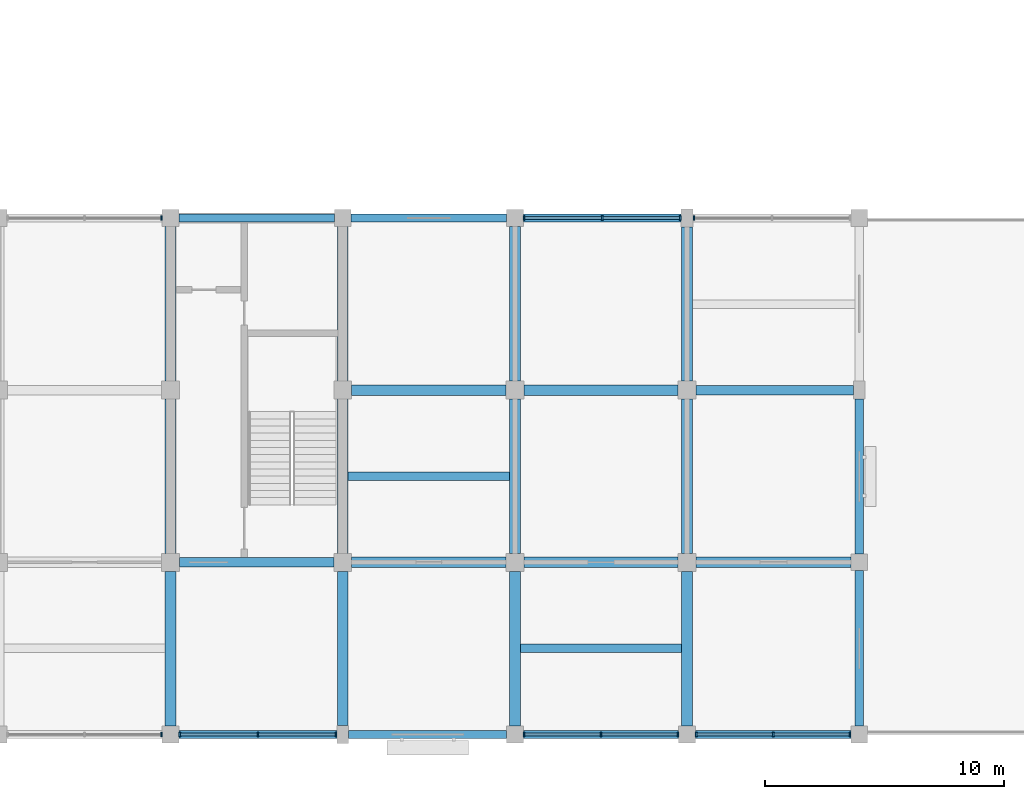
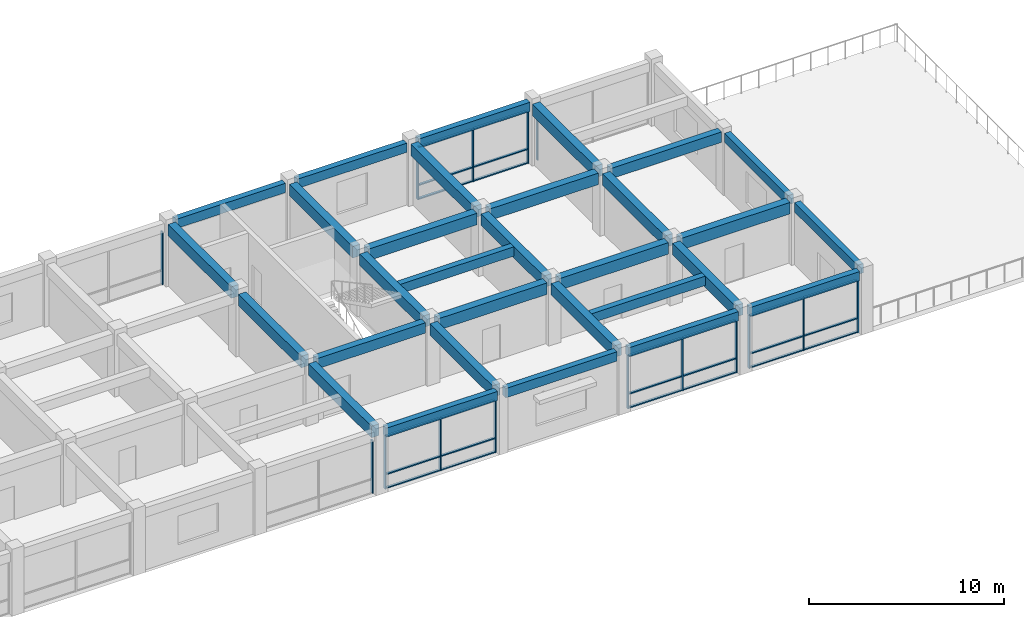
# One storey, part 14 of 31: 39 members, 30 beams, 7 elements without a shape of their own.
"""IFC4 building model written with IfcOpenShell, lengths in metres."""

from ifc_helpers import new_model, si_unit, direction, frame, origin, origin_2d, place, context, subcontext, project, spatial, rectangle, extrude, material, layer, layer_set, material_profile, profile_set, type_object, element, aggregate, save


model = new_model("IFC4")

# Units and contexts
model_context = context("Model", 3, precision=1e-05, world=origin(), true_north=direction((0.0, 1.0)))
body_context = subcontext(model_context, "Body", "Model", "MODEL_VIEW")
ifc_project = project(units=[si_unit("LENGTHUNIT", "METRE"), si_unit("AREAUNIT", "SQUARE_METRE"), si_unit("VOLUMEUNIT", "CUBIC_METRE"), si_unit("PLANEANGLEUNIT", "RADIAN"), si_unit("MASSUNIT", "GRAM", prefix="KILO")], contexts=[model_context])

# Site, building, storey
site_placement = place(None, origin())
site = spatial("IfcSite", under=ifc_project, at=site_placement, CompositionType="ELEMENT")
building_placement = place(site_placement, origin())
building = spatial("IfcBuilding", under=site, at=building_placement, Name="Cendaluz Park School", CompositionType="ELEMENT")
storey_placement = place(building_placement, frame((0.0, 0.0, 14.39990234375)))
storey = spatial("IfcBuildingStorey", under=building, at=storey_placement, Name="L03", CompositionType="ELEMENT", Elevation=14.39990234375)

# Beams
ifc_material_1 = material(Name="Concrete C40/50", Category="concrete")
ifc_material_profile_1 = material_profile(ifc_material_1, rectangle(XDim=0.449951171875, YDim=0.719970703125, at=origin_2d()), Name="RC 450x720", Category="concrete")
ifc_profile_set_1 = profile_set([ifc_material_profile_1], Name="Concrete C40/50")
beam_type_1 = type_object("IfcBeamType", Name="BM-RC02", PredefinedType="BEAM", material=ifc_profile_set_1)
for number, where, z_axis, x_axis, name in (
    (1, (137.175048828125, 14.39990234375, 3.530029296875), (1.0, 0.0, 0.0), (0.0, 1.0, 0.0), "BM-L03-BMRC02-0100"),
    (2, (137.175048828125, 21.60009765625, 3.530029296875), (1.0, 0.0, 0.0), (0.0, 1.0, 0.0), "BM-L03-BMRC02-0101"),
    (3, (144.375, 14.39990234375, 3.530029296875), (1.0, 0.0, 0.0), (0.0, 1.0, 0.0), "BM-L03-BMRC02-0104"),
    (4, (144.375, 21.60009765625, 3.530029296875), (1.0, 0.0, 0.0), (0.0, 1.0, 0.0), "BM-L03-BMRC02-0105"),
):
    element("IfcBeam", number, at=place(storey_placement, frame(where, z_axis=z_axis, x_axis=x_axis)), inside=storey, type_object=beam_type_1, Name=name, PredefinedType="BEAM", context=body_context, shape_type="SweptSolid", body=[
        extrude(rectangle(XDim=0.449951171875, YDim=0.719970703125, at=origin_2d()), origin(), (0.0, 0.0, 1.0), 6.449951171875),
    ])
beam_1_placement = place(storey_placement, frame((151.574951171875, 14.39990234375, 3.530029296875), z_axis=(1.0, 0.0, 0.0), x_axis=(0.0, 1.0, 0.0)))
element("IfcBeam", 5, at=beam_1_placement, inside=storey, type_object=beam_type_1, Name="BM-L03-BMRC02-0108", PredefinedType="BEAM", context=body_context, shape_type="SweptSolid", body=[
    extrude(rectangle(XDim=0.449951171875, YDim=0.719970703125, at=origin_2d()), origin(), (0.0, 0.0, 1.0), 6.47509765625),
])
beam_2_placement = place(storey_placement, frame((129.60009765625, 7.550048828125, 3.530029296875), z_axis=(0.0, 1.0, 0.0), x_axis=(-1.0, 0.0, 0.0)))
element("IfcBeam", 6, at=beam_2_placement, inside=storey, type_object=beam_type_1, Name="BM-L03-BMRC02-0201", PredefinedType="BEAM", context=body_context, shape_type="SweptSolid", body=[
    extrude(rectangle(XDim=0.449951171875, YDim=0.719970703125, at=origin_2d()), origin(), (0.0, 0.0, 1.0), 6.474853515625),
])
beam_3_placement = place(storey_placement, frame((129.60009765625, 14.77490234375, 3.530029296875), z_axis=(0.0, 1.0, 0.0), x_axis=(-1.0, 0.0, 0.0)))
element("IfcBeam", 7, at=beam_3_placement, inside=storey, type_object=beam_type_1, Name="BM-L03-BMRC02-0202", PredefinedType="BEAM", context=body_context, shape_type="SweptSolid", body=[
    extrude(rectangle(XDim=0.449951171875, YDim=0.719970703125, at=origin_2d()), origin(), (0.0, 0.0, 1.0), 6.4501953125),
])
beam_4_placement = place(storey_placement, frame((129.60009765625, 21.97509765625, 3.530029296875), z_axis=(0.0, 1.0, 0.0), x_axis=(-1.0, 0.0, 0.0)))
element("IfcBeam", 8, at=beam_4_placement, inside=storey, type_object=beam_type_1, Name="BM-L03-BMRC02-0203", PredefinedType="BEAM", context=body_context, shape_type="SweptSolid", body=[
    extrude(rectangle(XDim=0.449951171875, YDim=0.719970703125, at=origin_2d()), origin(), (0.0, 0.0, 1.0), 6.474853515625),
])
beam_5_placement = place(storey_placement, frame((136.800048828125, 7.574951171875, 3.530029296875), z_axis=(0.0, 1.0, 0.0), x_axis=(-1.0, 0.0, 0.0)))
element("IfcBeam", 9, at=beam_5_placement, inside=storey, type_object=beam_type_1, Name="BM-L03-BMRC02-0204", PredefinedType="BEAM", context=body_context, shape_type="SweptSolid", body=[
    extrude(rectangle(XDim=0.449951171875, YDim=0.719970703125, at=origin_2d()), origin(), (0.0, 0.0, 1.0), 6.449951171875),
])
beam_6_placement = place(storey_placement, frame((136.800048828125, 14.77490234375, 3.530029296875), z_axis=(0.0, 1.0, 0.0), x_axis=(-1.0, 0.0, 0.0)))
element("IfcBeam", 10, at=beam_6_placement, inside=storey, type_object=beam_type_1, Name="BM-L03-BMRC02-0205", PredefinedType="BEAM", context=body_context, shape_type="SweptSolid", body=[
    extrude(rectangle(XDim=0.449951171875, YDim=0.719970703125, at=origin_2d()), origin(), (0.0, 0.0, 1.0), 6.4501953125),
])
for number, where, z_axis, x_axis, name in (
    (11, (136.800048828125, 21.97509765625, 3.530029296875), (0.0, 1.0, 0.0), (-1.0, 0.0, 0.0), "BM-L03-BMRC02-0206"),
    (12, (144.0, 7.550048828125, 3.530029296875), (0.0, 1.0, 0.0), (-1.0, 0.0, 0.0), "BM-L03-BMRC02-0207"),
):
    element("IfcBeam", number, at=place(storey_placement, frame(where, z_axis=z_axis, x_axis=x_axis)), inside=storey, type_object=beam_type_1, Name=name, PredefinedType="BEAM", context=body_context, shape_type="SweptSolid", body=[
        extrude(rectangle(XDim=0.449951171875, YDim=0.719970703125, at=origin_2d()), origin(), (0.0, 0.0, 1.0), 6.474853515625),
    ])
beam_7_placement = place(storey_placement, frame((144.0, 14.77490234375, 3.530029296875), z_axis=(0.0, 1.0, 0.0), x_axis=(-1.0, 0.0, 0.0)))
element("IfcBeam", 13, at=beam_7_placement, inside=storey, type_object=beam_type_1, Name="BM-L03-BMRC02-0208", PredefinedType="BEAM", context=body_context, shape_type="SweptSolid", body=[
    extrude(rectangle(XDim=0.449951171875, YDim=0.719970703125, at=origin_2d()), origin(), (0.0, 0.0, 1.0), 6.4501953125),
])
for number, where, z_axis, x_axis, name in (
    (14, (144.0, 21.97509765625, 3.530029296875), (0.0, 1.0, 0.0), (-1.0, 0.0, 0.0), "BM-L03-BMRC02-0209"),
    (15, (151.199951171875, 7.550048828125, 3.530029296875), (0.0, 1.0, 0.0), (-1.0, 0.0, 0.0), "BM-L03-BMRC02-0210"),
):
    element("IfcBeam", number, at=place(storey_placement, frame(where, z_axis=z_axis, x_axis=x_axis)), inside=storey, type_object=beam_type_1, Name=name, PredefinedType="BEAM", context=body_context, shape_type="SweptSolid", body=[
        extrude(rectangle(XDim=0.449951171875, YDim=0.719970703125, at=origin_2d()), origin(), (0.0, 0.0, 1.0), 6.474853515625),
    ])
beam_8_placement = place(storey_placement, frame((151.199951171875, 14.77490234375, 3.530029296875), z_axis=(0.0, 1.0, 0.0), x_axis=(-1.0, 0.0, 0.0)))
element("IfcBeam", 16, at=beam_8_placement, inside=storey, type_object=beam_type_1, Name="BM-L03-BMRC02-0211", PredefinedType="BEAM", context=body_context, shape_type="SweptSolid", body=[
    extrude(rectangle(XDim=0.449951171875, YDim=0.719970703125, at=origin_2d()), origin(), (0.0, 0.0, 1.0), 6.4501953125),
])
beam_9_placement = place(storey_placement, frame((151.199951171875, 21.97509765625, 3.530029296875), z_axis=(0.0, 1.0, 0.0), x_axis=(-1.0, 0.0, 0.0)))
element("IfcBeam", 17, at=beam_9_placement, inside=storey, type_object=beam_type_1, Name="BM-L03-BMRC02-0212", PredefinedType="BEAM", context=body_context, shape_type="SweptSolid", body=[
    extrude(rectangle(XDim=0.449951171875, YDim=0.719970703125, at=origin_2d()), origin(), (0.0, 0.0, 1.0), 6.449951171875),
])
ifc_material_profile_2 = material_profile(ifc_material_1, rectangle(XDim=0.39990234375, YDim=0.64990234375, at=origin_2d()), Name="RC 400x650", Category="concrete")
ifc_profile_set_2 = profile_set([ifc_material_profile_2], Name="Concrete C40/50")
beam_type_2 = type_object("IfcBeamType", Name="BM-RC03", PredefinedType="T_BEAM", material=ifc_profile_set_2)
beam_10_placement = place(storey_placement, frame((129.97509765625, 14.39990234375, 3.565185546875), z_axis=(1.0, 0.0, 0.0), x_axis=(0.0, 1.0, 0.0)))
element("IfcBeam", 18, at=beam_10_placement, inside=storey, type_object=beam_type_2, Name="BM-L03-BMRC03-0097", PredefinedType="T_BEAM", context=body_context, shape_type="SweptSolid", body=[
    extrude(rectangle(XDim=0.39990234375, YDim=0.64990234375, at=origin_2d()), origin(), (0.0, 0.0, 1.0), 6.449951171875),
])
beam_11_placement = place(storey_placement, frame((151.574951171875, 21.60009765625, 3.565185546875), z_axis=(1.0, 0.0, 0.0), x_axis=(0.0, 1.0, 0.0)))
element("IfcBeam", 19, at=beam_11_placement, inside=storey, type_object=beam_type_2, Name="BM-L03-BMRC03-0109", PredefinedType="T_BEAM", context=body_context, shape_type="SweptSolid", body=[
    extrude(rectangle(XDim=0.39990234375, YDim=0.64990234375, at=origin_2d()), origin(), (0.0, 0.0, 1.0), 6.574951171875),
])
ifc_material_profile_3 = material_profile(ifc_material_1, rectangle(XDim=0.35009765625, YDim=0.580078125, at=origin_2d()), Name="RC 350x580", Category="concrete")
ifc_profile_set_3 = profile_set([ifc_material_profile_3], Name="Concrete C40/50")
beam_type_3 = type_object("IfcBeamType", Name="BM-RC04", PredefinedType="LINTEL", material=ifc_profile_set_3)
beam_12_placement = place(storey_placement, frame((129.949951171875, 7.199951171875, 3.60009765625), z_axis=(1.0, 0.0, 0.0), x_axis=(0.0, 1.0, 0.0)))
element("IfcBeam", 20, at=beam_12_placement, inside=storey, type_object=beam_type_3, Name="BM-L03-BMRC04-0096", PredefinedType="LINTEL", context=body_context, shape_type="SweptSolid", body=[
    extrude(rectangle(XDim=0.35009765625, YDim=0.580078125, at=origin_2d()), origin(), (0.0, 0.0, 1.0), 6.60009765625),
])
beam_13_placement = place(storey_placement, frame((129.949951171875, 28.800048828125, 3.60009765625), z_axis=(1.0, 0.0, 0.0), x_axis=(0.0, 1.0, 0.0)))
element("IfcBeam", 21, at=beam_13_placement, inside=storey, type_object=beam_type_3, Name="BM-L03-BMRC04-0098", PredefinedType="LINTEL", context=body_context, shape_type="SweptSolid", body=[
    extrude(rectangle(XDim=0.35009765625, YDim=0.580078125, at=origin_2d()), origin(), (0.0, 0.0, 1.0), 6.5),
])
beam_14_placement = place(storey_placement, frame((137.050048828125, 7.199951171875, 3.60009765625), z_axis=(1.0, 0.0, 0.0), x_axis=(0.0, 1.0, 0.0)))
element("IfcBeam", 22, at=beam_14_placement, inside=storey, type_object=beam_type_3, Name="BM-L03-BMRC04-0099", PredefinedType="LINTEL", context=body_context, shape_type="SweptSolid", body=[
    extrude(rectangle(XDim=0.35009765625, YDim=0.580078125, at=origin_2d()), origin(), (0.0, 0.0, 1.0), 6.599853515625),
])
for number, where, z_axis, x_axis, name in (
    (23, (137.14990234375, 28.800048828125, 3.60009765625), (1.0, 0.0, 0.0), (0.0, 1.0, 0.0), "BM-L03-BMRC04-0102"),
    (24, (144.35009765625, 7.199951171875, 3.60009765625), (1.0, 0.0, 0.0), (0.0, 1.0, 0.0), "BM-L03-BMRC04-0103"),
):
    element("IfcBeam", number, at=place(storey_placement, frame(where, z_axis=z_axis, x_axis=x_axis)), inside=storey, type_object=beam_type_3, Name=name, PredefinedType="LINTEL", context=body_context, shape_type="SweptSolid", body=[
        extrude(rectangle(XDim=0.35009765625, YDim=0.580078125, at=origin_2d()), origin(), (0.0, 0.0, 1.0), 6.5),
    ])
beam_15_placement = place(storey_placement, frame((144.35009765625, 28.800048828125, 3.60009765625), z_axis=(1.0, 0.0, 0.0), x_axis=(0.0, 1.0, 0.0)))
element("IfcBeam", 25, at=beam_15_placement, inside=storey, type_object=beam_type_3, Name="BM-L03-BMRC04-0106", PredefinedType="LINTEL", context=body_context, shape_type="SweptSolid", body=[
    extrude(rectangle(XDim=0.35009765625, YDim=0.580078125, at=origin_2d()), origin(), (0.0, 0.0, 1.0), 6.599853515625),
])
for number, where, z_axis, x_axis, name in (
    (26, (151.550048828125, 7.199951171875, 3.60009765625), (1.0, 0.0, 0.0), (0.0, 1.0, 0.0), "BM-L03-BMRC04-0107"),
    (27, (158.39990234375, 7.550048828125, 3.60009765625), (0.0, 1.0, 0.0), (-1.0, 0.0, 0.0), "BM-L03-BMRC04-0213"),
):
    element("IfcBeam", number, at=place(storey_placement, frame(where, z_axis=z_axis, x_axis=x_axis)), inside=storey, type_object=beam_type_3, Name=name, PredefinedType="LINTEL", context=body_context, shape_type="SweptSolid", body=[
        extrude(rectangle(XDim=0.35009765625, YDim=0.580078125, at=origin_2d()), origin(), (0.0, 0.0, 1.0), 6.5),
    ])
beam_16_placement = place(storey_placement, frame((158.39990234375, 14.75, 3.60009765625), z_axis=(0.0, 1.0, 0.0), x_axis=(-1.0, 0.0, 0.0)))
element("IfcBeam", 28, at=beam_16_placement, inside=storey, type_object=beam_type_3, Name="BM-L03-BMRC04-0214", PredefinedType="LINTEL", context=body_context, shape_type="SweptSolid", body=[
    extrude(rectangle(XDim=0.35009765625, YDim=0.580078125, at=origin_2d()), origin(), (0.0, 0.0, 1.0), 6.47509765625),
])

# Curtain wall, member
ifc_material_2 = material(Name="Anodised Aluminium 6063-T6", Category="aluminium")
ifc_layer_1 = layer(ifc_material_2, 0.179931640625)
ifc_layer_set_1 = layer_set([ifc_layer_1], Name="Anodised Aluminium 6063-T6")
curtain_wall_type_1 = type_object("IfcCurtainWallType", Name="CW-130x66", PredefinedType="NOTDEFINED", material=ifc_layer_set_1)
curtain_wall_1_placement = place(storey_placement, origin())
curtain_wall_1 = element("IfcCurtainWall", 29, at=curtain_wall_1_placement, inside=storey, type_object=curtain_wall_type_1, Name="CW-L03-154", PredefinedType="NOTDEFINED")
ifc_material_profile_4 = material_profile(ifc_material_2, rectangle(XDim=0.179931640625, YDim=0.070068359375, at=origin_2d()), Name="CWM 180x70", Category="aluminium")
ifc_profile_set_4 = profile_set([ifc_material_profile_4], Name="Anodised Aluminium 6063-T6")
member_type_1 = type_object("IfcMemberType", Name="CWM-01", PredefinedType="MULLION", material=ifc_profile_set_4)
member_1_placement = place(storey_placement, frame((129.215087890625, 7.199951171875, 0.0), z_axis=(0.0, 0.0, 1.0), x_axis=(0.0, 1.0, 0.0)))
member_1 = element("IfcMember", 30, at=member_1_placement, type_object=member_type_1, Name="CP-L03-1992", PredefinedType="MULLION", context=body_context, shape_type="SweptSolid", body=[
    extrude(rectangle(XDim=0.179931640625, YDim=0.070068359375, at=origin_2d()), origin(), (0.0, 0.0, 1.0), 3.31005859375),
])
aggregate(curtain_wall_1, [member_1])

curtain_wall_2_placement = place(storey_placement, origin())
curtain_wall_2 = element("IfcCurtainWall", 31, at=curtain_wall_2_placement, inside=storey, type_object=curtain_wall_type_1, Name="CW-L03-155", PredefinedType="NOTDEFINED")
member_2_placement = place(storey_placement, frame((129.215087890625, 28.800048828125, 0.0), z_axis=(0.0, 0.0, 1.0), x_axis=(0.0, 1.0, 0.0)))
member_2 = element("IfcMember", 32, at=member_2_placement, type_object=member_type_1, Name="CP-L03-2005", PredefinedType="MULLION", context=body_context, shape_type="SweptSolid", body=[
    extrude(rectangle(XDim=0.179931640625, YDim=0.070068359375, at=origin_2d()), origin(), (0.0, 0.0, 1.0), 3.31005859375),
])
aggregate(curtain_wall_2, [member_2])

# Curtain wall, members
ifc_layer_2 = layer(ifc_material_2, 0.179931640625)
ifc_layer_set_2 = layer_set([ifc_layer_2], Name="Anodised Aluminium 6063-T6")
curtain_wall_type_2 = type_object("IfcCurtainWallType", Name="CW-132x66", PredefinedType="NOTDEFINED", material=ifc_layer_set_2)
curtain_wall_3_placement = place(storey_placement, origin())
curtain_wall_3 = element("IfcCurtainWall", 33, at=curtain_wall_3_placement, inside=storey, type_object=curtain_wall_type_2, Name="CW-L03-156", PredefinedType="NOTDEFINED")
member_3_placement = place(storey_placement, frame((129.985107421875, 7.199951171875, 0.0), z_axis=(0.0, 0.0, 1.0), x_axis=(0.0, 1.0, 0.0)))
member_3 = element("IfcMember", 34, at=member_3_placement, type_object=member_type_1, Name="CP-L03-2016", PredefinedType="MULLION", context=body_context, shape_type="SweptSolid", body=[
    extrude(rectangle(XDim=0.179931640625, YDim=0.070068359375, at=origin_2d()), origin(), (0.0, 0.0, 1.0), 3.31005859375),
])
member_4_placement = place(storey_placement, frame((133.25, 7.199951171875, 0.0), z_axis=(0.0, 0.0, 1.0), x_axis=(0.0, 1.0, 0.0)))
member_4 = element("IfcMember", 35, at=member_4_placement, type_object=member_type_1, Name="CP-L03-2017", PredefinedType="MULLION", context=body_context, shape_type="SweptSolid", body=[
    extrude(rectangle(XDim=0.179931640625, YDim=0.070068359375, at=origin_2d()), origin(), (0.0, 0.0, 1.0), 3.31005859375),
])
member_5_placement = place(storey_placement, frame((136.514892578125, 7.199951171875, 0.0), z_axis=(0.0, 0.0, 1.0), x_axis=(0.0, 1.0, 0.0)))
member_5 = element("IfcMember", 36, at=member_5_placement, type_object=member_type_1, Name="CP-L03-2018", PredefinedType="MULLION", context=body_context, shape_type="SweptSolid", body=[
    extrude(rectangle(XDim=0.179931640625, YDim=0.070068359375, at=origin_2d()), origin(), (0.0, 0.0, 1.0), 3.31005859375),
])

curtain_wall_4_placement = place(storey_placement, origin())
curtain_wall_4 = element("IfcCurtainWall", 37, at=curtain_wall_4_placement, inside=storey, type_object=curtain_wall_type_1, Name="CW-L03-157", PredefinedType="NOTDEFINED")
member_6_placement = place(storey_placement, frame((144.385009765625, 7.199951171875, 0.0), z_axis=(0.0, 0.0, 1.0), x_axis=(0.0, 1.0, 0.0)))
member_6 = element("IfcMember", 38, at=member_6_placement, type_object=member_type_1, Name="CP-L03-2029", PredefinedType="MULLION", context=body_context, shape_type="SweptSolid", body=[
    extrude(rectangle(XDim=0.179931640625, YDim=0.070068359375, at=origin_2d()), origin(), (0.0, 0.0, 1.0), 3.31005859375),
])
member_7_placement = place(storey_placement, frame((147.60009765625, 7.199951171875, 0.0), z_axis=(0.0, 0.0, 1.0), x_axis=(0.0, 1.0, 0.0)))
member_7 = element("IfcMember", 39, at=member_7_placement, type_object=member_type_1, Name="CP-L03-2030", PredefinedType="MULLION", context=body_context, shape_type="SweptSolid", body=[
    extrude(rectangle(XDim=0.179931640625, YDim=0.070068359375, at=origin_2d()), origin(), (0.0, 0.0, 1.0), 3.31005859375),
])
member_8_placement = place(storey_placement, frame((150.81494140625, 7.199951171875, 0.0), z_axis=(0.0, 0.0, 1.0), x_axis=(0.0, 1.0, 0.0)))
member_8 = element("IfcMember", 40, at=member_8_placement, type_object=member_type_1, Name="CP-L03-2031", PredefinedType="MULLION", context=body_context, shape_type="SweptSolid", body=[
    extrude(rectangle(XDim=0.179931640625, YDim=0.070068359375, at=origin_2d()), origin(), (0.0, 0.0, 1.0), 3.31005859375),
])

curtain_wall_5_placement = place(storey_placement, origin())
curtain_wall_5 = element("IfcCurtainWall", 41, at=curtain_wall_5_placement, inside=storey, type_object=curtain_wall_type_2, Name="CW-L03-158", PredefinedType="NOTDEFINED")
member_9_placement = place(storey_placement, frame((144.385009765625, 28.800048828125, 0.0), z_axis=(0.0, 0.0, 1.0), x_axis=(0.0, 1.0, 0.0)))
member_9 = element("IfcMember", 42, at=member_9_placement, type_object=member_type_1, Name="CP-L03-2042", PredefinedType="MULLION", context=body_context, shape_type="SweptSolid", body=[
    extrude(rectangle(XDim=0.179931640625, YDim=0.070068359375, at=origin_2d()), origin(), (0.0, 0.0, 1.0), 3.31005859375),
])
member_10_placement = place(storey_placement, frame((147.64990234375, 28.800048828125, 0.0), z_axis=(0.0, 0.0, 1.0), x_axis=(0.0, 1.0, 0.0)))
member_10 = element("IfcMember", 43, at=member_10_placement, type_object=member_type_1, Name="CP-L03-2043", PredefinedType="MULLION", context=body_context, shape_type="SweptSolid", body=[
    extrude(rectangle(XDim=0.179931640625, YDim=0.070068359375, at=origin_2d()), origin(), (0.0, 0.0, 1.0), 3.31005859375),
])
member_11_placement = place(storey_placement, frame((150.9150390625, 28.800048828125, 0.0), z_axis=(0.0, 0.0, 1.0), x_axis=(0.0, 1.0, 0.0)))
member_11 = element("IfcMember", 44, at=member_11_placement, type_object=member_type_1, Name="CP-L03-2044", PredefinedType="MULLION", context=body_context, shape_type="SweptSolid", body=[
    extrude(rectangle(XDim=0.179931640625, YDim=0.070068359375, at=origin_2d()), origin(), (0.0, 0.0, 1.0), 3.31005859375),
])

curtain_wall_6_placement = place(storey_placement, origin())
curtain_wall_6 = element("IfcCurtainWall", 45, at=curtain_wall_6_placement, inside=storey, type_object=curtain_wall_type_1, Name="CW-L03-159", PredefinedType="NOTDEFINED")
member_12_placement = place(storey_placement, frame((151.5849609375, 7.199951171875, 0.0), z_axis=(0.0, 0.0, 1.0), x_axis=(0.0, 1.0, 0.0)))
member_12 = element("IfcMember", 46, at=member_12_placement, type_object=member_type_1, Name="CP-L03-2055", PredefinedType="MULLION", context=body_context, shape_type="SweptSolid", body=[
    extrude(rectangle(XDim=0.179931640625, YDim=0.070068359375, at=origin_2d()), origin(), (0.0, 0.0, 1.0), 3.31005859375),
])
member_13_placement = place(storey_placement, frame((154.800048828125, 7.199951171875, 0.0), z_axis=(0.0, 0.0, 1.0), x_axis=(0.0, 1.0, 0.0)))
member_13 = element("IfcMember", 47, at=member_13_placement, type_object=member_type_1, Name="CP-L03-2056", PredefinedType="MULLION", context=body_context, shape_type="SweptSolid", body=[
    extrude(rectangle(XDim=0.179931640625, YDim=0.070068359375, at=origin_2d()), origin(), (0.0, 0.0, 1.0), 3.31005859375),
])
member_14_placement = place(storey_placement, frame((158.014892578125, 7.199951171875, 0.0), z_axis=(0.0, 0.0, 1.0), x_axis=(0.0, 1.0, 0.0)))
member_14 = element("IfcMember", 48, at=member_14_placement, type_object=member_type_1, Name="CP-L03-2057", PredefinedType="MULLION", context=body_context, shape_type="SweptSolid", body=[
    extrude(rectangle(XDim=0.179931640625, YDim=0.070068359375, at=origin_2d()), origin(), (0.0, 0.0, 1.0), 3.31005859375),
])

# Curtain wall, member
curtain_wall_7_placement = place(storey_placement, origin())
curtain_wall_7 = element("IfcCurtainWall", 49, at=curtain_wall_7_placement, inside=storey, type_object=curtain_wall_type_2, Name="CW-L03-160", PredefinedType="NOTDEFINED")
member_15_placement = place(storey_placement, frame((151.485107421875, 28.800048828125, 0.0), z_axis=(0.0, 0.0, 1.0), x_axis=(0.0, 1.0, 0.0)))
member_15 = element("IfcMember", 50, at=member_15_placement, type_object=member_type_1, Name="CP-L03-2068", PredefinedType="MULLION", context=body_context, shape_type="SweptSolid", body=[
    extrude(rectangle(XDim=0.179931640625, YDim=0.070068359375, at=origin_2d()), origin(), (0.0, 0.0, 1.0), 3.31005859375),
])
aggregate(curtain_wall_7, [member_15])

# Member
ifc_material_profile_5 = material_profile(ifc_material_2, rectangle(XDim=0.139892578125, YDim=0.070068359375, at=origin_2d()), Name="CWT 140x70", Category="aluminium")
ifc_profile_set_5 = profile_set([ifc_material_profile_5], Name="Anodised Aluminium 6063-T6")
member_type_2 = type_object("IfcMemberType", Name="CWT-01", PredefinedType="USERDEFINED", material=ifc_profile_set_5)
member_16_placement = place(storey_placement, frame((130.02001953125, 7.199951171875, 0.03515625), z_axis=(1.0, 0.0, 0.0), x_axis=(0.0, 1.0, 0.0)))
member_16 = element("IfcMember", 51, at=member_16_placement, type_object=member_type_2, Name="CP-L03-2019", ObjectType="TRANSOM", PredefinedType="USERDEFINED", context=body_context, shape_type="SweptSolid", body=[
    extrude(rectangle(XDim=0.139892578125, YDim=0.070068359375, at=origin_2d()), origin(), (0.0, 0.0, 1.0), 3.195068359375),
])

member_17_placement = place(storey_placement, frame((130.02001953125, 7.199951171875, 0.900146484375), z_axis=(1.0, 0.0, 0.0), x_axis=(0.0, 1.0, 0.0)))
member_17 = element("IfcMember", 52, at=member_17_placement, type_object=member_type_2, Name="CP-L03-2020", ObjectType="TRANSOM", PredefinedType="USERDEFINED", context=body_context, shape_type="SweptSolid", body=[
    extrude(rectangle(XDim=0.139892578125, YDim=0.070068359375, at=origin_2d()), origin(), (0.0, 0.0, 1.0), 3.195068359375),
])

member_18_placement = place(storey_placement, frame((130.02001953125, 7.199951171875, 3.275146484375), z_axis=(1.0, 0.0, 0.0), x_axis=(0.0, 1.0, 0.0)))
member_18 = element("IfcMember", 53, at=member_18_placement, type_object=member_type_2, Name="CP-L03-2021", ObjectType="TRANSOM", PredefinedType="USERDEFINED", context=body_context, shape_type="SweptSolid", body=[
    extrude(rectangle(XDim=0.139892578125, YDim=0.070068359375, at=origin_2d()), origin(), (0.0, 0.0, 1.0), 3.195068359375),
])

member_19_placement = place(storey_placement, frame((133.284912109375, 7.199951171875, 0.03515625), z_axis=(1.0, 0.0, 0.0), x_axis=(0.0, 1.0, 0.0)))
member_19 = element("IfcMember", 54, at=member_19_placement, type_object=member_type_2, Name="CP-L03-2024", ObjectType="TRANSOM", PredefinedType="USERDEFINED", context=body_context, shape_type="SweptSolid", body=[
    extrude(rectangle(XDim=0.139892578125, YDim=0.070068359375, at=origin_2d()), origin(), (0.0, 0.0, 1.0), 3.195068359375),
])

member_20_placement = place(storey_placement, frame((133.284912109375, 7.199951171875, 0.900146484375), z_axis=(1.0, 0.0, 0.0), x_axis=(0.0, 1.0, 0.0)))
member_20 = element("IfcMember", 55, at=member_20_placement, type_object=member_type_2, Name="CP-L03-2025", ObjectType="TRANSOM", PredefinedType="USERDEFINED", context=body_context, shape_type="SweptSolid", body=[
    extrude(rectangle(XDim=0.139892578125, YDim=0.070068359375, at=origin_2d()), origin(), (0.0, 0.0, 1.0), 3.195068359375),
])

member_21_placement = place(storey_placement, frame((133.284912109375, 7.199951171875, 3.275146484375), z_axis=(1.0, 0.0, 0.0), x_axis=(0.0, 1.0, 0.0)))
member_21 = element("IfcMember", 56, at=member_21_placement, type_object=member_type_2, Name="CP-L03-2026", ObjectType="TRANSOM", PredefinedType="USERDEFINED", context=body_context, shape_type="SweptSolid", body=[
    extrude(rectangle(XDim=0.139892578125, YDim=0.070068359375, at=origin_2d()), origin(), (0.0, 0.0, 1.0), 3.195068359375),
])

aggregate(curtain_wall_3, [member_3, member_4, member_5, member_16, member_17, member_18, member_19, member_20, member_21])

member_22_placement = place(storey_placement, frame((144.419921875, 7.199951171875, 0.03515625), z_axis=(1.0, 0.0, 0.0), x_axis=(0.0, 1.0, 0.0)))
member_22 = element("IfcMember", 57, at=member_22_placement, type_object=member_type_2, Name="CP-L03-2032", ObjectType="TRANSOM", PredefinedType="USERDEFINED", context=body_context, shape_type="SweptSolid", body=[
    extrude(rectangle(XDim=0.139892578125, YDim=0.070068359375, at=origin_2d()), origin(), (0.0, 0.0, 1.0), 3.14501953125),
])

member_23_placement = place(storey_placement, frame((144.419921875, 7.199951171875, 0.900146484375), z_axis=(1.0, 0.0, 0.0), x_axis=(0.0, 1.0, 0.0)))
member_23 = element("IfcMember", 58, at=member_23_placement, type_object=member_type_2, Name="CP-L03-2033", ObjectType="TRANSOM", PredefinedType="USERDEFINED", context=body_context, shape_type="SweptSolid", body=[
    extrude(rectangle(XDim=0.139892578125, YDim=0.070068359375, at=origin_2d()), origin(), (0.0, 0.0, 1.0), 3.14501953125),
])

member_24_placement = place(storey_placement, frame((144.419921875, 7.199951171875, 3.275146484375), z_axis=(1.0, 0.0, 0.0), x_axis=(0.0, 1.0, 0.0)))
member_24 = element("IfcMember", 59, at=member_24_placement, type_object=member_type_2, Name="CP-L03-2034", ObjectType="TRANSOM", PredefinedType="USERDEFINED", context=body_context, shape_type="SweptSolid", body=[
    extrude(rectangle(XDim=0.139892578125, YDim=0.070068359375, at=origin_2d()), origin(), (0.0, 0.0, 1.0), 3.14501953125),
])

member_25_placement = place(storey_placement, frame((147.635009765625, 7.199951171875, 0.03515625), z_axis=(1.0, 0.0, 0.0), x_axis=(0.0, 1.0, 0.0)))
member_25 = element("IfcMember", 60, at=member_25_placement, type_object=member_type_2, Name="CP-L03-2037", ObjectType="TRANSOM", PredefinedType="USERDEFINED", context=body_context, shape_type="SweptSolid", body=[
    extrude(rectangle(XDim=0.139892578125, YDim=0.070068359375, at=origin_2d()), origin(), (0.0, 0.0, 1.0), 3.14501953125),
])

member_26_placement = place(storey_placement, frame((147.635009765625, 7.199951171875, 0.900146484375), z_axis=(1.0, 0.0, 0.0), x_axis=(0.0, 1.0, 0.0)))
member_26 = element("IfcMember", 61, at=member_26_placement, type_object=member_type_2, Name="CP-L03-2038", ObjectType="TRANSOM", PredefinedType="USERDEFINED", context=body_context, shape_type="SweptSolid", body=[
    extrude(rectangle(XDim=0.139892578125, YDim=0.070068359375, at=origin_2d()), origin(), (0.0, 0.0, 1.0), 3.14501953125),
])

member_27_placement = place(storey_placement, frame((147.635009765625, 7.199951171875, 3.275146484375), z_axis=(1.0, 0.0, 0.0), x_axis=(0.0, 1.0, 0.0)))
member_27 = element("IfcMember", 62, at=member_27_placement, type_object=member_type_2, Name="CP-L03-2039", ObjectType="TRANSOM", PredefinedType="USERDEFINED", context=body_context, shape_type="SweptSolid", body=[
    extrude(rectangle(XDim=0.139892578125, YDim=0.070068359375, at=origin_2d()), origin(), (0.0, 0.0, 1.0), 3.14501953125),
])

aggregate(curtain_wall_4, [member_6, member_7, member_8, member_22, member_23, member_24, member_25, member_26, member_27])

member_28_placement = place(storey_placement, frame((144.419921875, 28.800048828125, 0.03515625), z_axis=(1.0, 0.0, 0.0), x_axis=(0.0, 1.0, 0.0)))
member_28 = element("IfcMember", 63, at=member_28_placement, type_object=member_type_2, Name="CP-L03-2045", ObjectType="TRANSOM", PredefinedType="USERDEFINED", context=body_context, shape_type="SweptSolid", body=[
    extrude(rectangle(XDim=0.139892578125, YDim=0.070068359375, at=origin_2d()), origin(), (0.0, 0.0, 1.0), 3.195068359375),
])

member_29_placement = place(storey_placement, frame((144.419921875, 28.800048828125, 0.900146484375), z_axis=(1.0, 0.0, 0.0), x_axis=(0.0, 1.0, 0.0)))
member_29 = element("IfcMember", 64, at=member_29_placement, type_object=member_type_2, Name="CP-L03-2046", ObjectType="TRANSOM", PredefinedType="USERDEFINED", context=body_context, shape_type="SweptSolid", body=[
    extrude(rectangle(XDim=0.139892578125, YDim=0.070068359375, at=origin_2d()), origin(), (0.0, 0.0, 1.0), 3.195068359375),
])

member_30_placement = place(storey_placement, frame((144.419921875, 28.800048828125, 3.275146484375), z_axis=(1.0, 0.0, 0.0), x_axis=(0.0, 1.0, 0.0)))
member_30 = element("IfcMember", 65, at=member_30_placement, type_object=member_type_2, Name="CP-L03-2047", ObjectType="TRANSOM", PredefinedType="USERDEFINED", context=body_context, shape_type="SweptSolid", body=[
    extrude(rectangle(XDim=0.139892578125, YDim=0.070068359375, at=origin_2d()), origin(), (0.0, 0.0, 1.0), 3.195068359375),
])

member_31_placement = place(storey_placement, frame((147.68505859375, 28.800048828125, 0.03515625), z_axis=(1.0, 0.0, 0.0), x_axis=(0.0, 1.0, 0.0)))
member_31 = element("IfcMember", 66, at=member_31_placement, type_object=member_type_2, Name="CP-L03-2050", ObjectType="TRANSOM", PredefinedType="USERDEFINED", context=body_context, shape_type="SweptSolid", body=[
    extrude(rectangle(XDim=0.139892578125, YDim=0.070068359375, at=origin_2d()), origin(), (0.0, 0.0, 1.0), 3.19482421875),
])

member_32_placement = place(storey_placement, frame((147.68505859375, 28.800048828125, 0.900146484375), z_axis=(1.0, 0.0, 0.0), x_axis=(0.0, 1.0, 0.0)))
member_32 = element("IfcMember", 67, at=member_32_placement, type_object=member_type_2, Name="CP-L03-2051", ObjectType="TRANSOM", PredefinedType="USERDEFINED", context=body_context, shape_type="SweptSolid", body=[
    extrude(rectangle(XDim=0.139892578125, YDim=0.070068359375, at=origin_2d()), origin(), (0.0, 0.0, 1.0), 3.19482421875),
])

member_33_placement = place(storey_placement, frame((147.68505859375, 28.800048828125, 3.275146484375), z_axis=(1.0, 0.0, 0.0), x_axis=(0.0, 1.0, 0.0)))
member_33 = element("IfcMember", 68, at=member_33_placement, type_object=member_type_2, Name="CP-L03-2052", ObjectType="TRANSOM", PredefinedType="USERDEFINED", context=body_context, shape_type="SweptSolid", body=[
    extrude(rectangle(XDim=0.139892578125, YDim=0.070068359375, at=origin_2d()), origin(), (0.0, 0.0, 1.0), 3.19482421875),
])

aggregate(curtain_wall_5, [member_9, member_10, member_11, member_28, member_29, member_30, member_31, member_32, member_33])

member_34_placement = place(storey_placement, frame((151.6201171875, 7.199951171875, 0.03515625), z_axis=(1.0, 0.0, 0.0), x_axis=(0.0, 1.0, 0.0)))
member_34 = element("IfcMember", 69, at=member_34_placement, type_object=member_type_2, Name="CP-L03-2058", ObjectType="TRANSOM", PredefinedType="USERDEFINED", context=body_context, shape_type="SweptSolid", body=[
    extrude(rectangle(XDim=0.139892578125, YDim=0.070068359375, at=origin_2d()), origin(), (0.0, 0.0, 1.0), 3.144775390625),
])

member_35_placement = place(storey_placement, frame((151.6201171875, 7.199951171875, 0.900146484375), z_axis=(1.0, 0.0, 0.0), x_axis=(0.0, 1.0, 0.0)))
member_35 = element("IfcMember", 70, at=member_35_placement, type_object=member_type_2, Name="CP-L03-2059", ObjectType="TRANSOM", PredefinedType="USERDEFINED", context=body_context, shape_type="SweptSolid", body=[
    extrude(rectangle(XDim=0.139892578125, YDim=0.070068359375, at=origin_2d()), origin(), (0.0, 0.0, 1.0), 3.144775390625),
])

member_36_placement = place(storey_placement, frame((151.6201171875, 7.199951171875, 3.275146484375), z_axis=(1.0, 0.0, 0.0), x_axis=(0.0, 1.0, 0.0)))
member_36 = element("IfcMember", 71, at=member_36_placement, type_object=member_type_2, Name="CP-L03-2060", ObjectType="TRANSOM", PredefinedType="USERDEFINED", context=body_context, shape_type="SweptSolid", body=[
    extrude(rectangle(XDim=0.139892578125, YDim=0.070068359375, at=origin_2d()), origin(), (0.0, 0.0, 1.0), 3.144775390625),
])

member_37_placement = place(storey_placement, frame((154.8349609375, 7.199951171875, 0.03515625), z_axis=(1.0, 0.0, 0.0), x_axis=(0.0, 1.0, 0.0)))
member_37 = element("IfcMember", 72, at=member_37_placement, type_object=member_type_2, Name="CP-L03-2063", ObjectType="TRANSOM", PredefinedType="USERDEFINED", context=body_context, shape_type="SweptSolid", body=[
    extrude(rectangle(XDim=0.139892578125, YDim=0.070068359375, at=origin_2d()), origin(), (0.0, 0.0, 1.0), 3.14501953125),
])

member_38_placement = place(storey_placement, frame((154.8349609375, 7.199951171875, 0.900146484375), z_axis=(1.0, 0.0, 0.0), x_axis=(0.0, 1.0, 0.0)))
member_38 = element("IfcMember", 73, at=member_38_placement, type_object=member_type_2, Name="CP-L03-2064", ObjectType="TRANSOM", PredefinedType="USERDEFINED", context=body_context, shape_type="SweptSolid", body=[
    extrude(rectangle(XDim=0.139892578125, YDim=0.070068359375, at=origin_2d()), origin(), (0.0, 0.0, 1.0), 3.14501953125),
])

member_39_placement = place(storey_placement, frame((154.8349609375, 7.199951171875, 3.275146484375), z_axis=(1.0, 0.0, 0.0), x_axis=(0.0, 1.0, 0.0)))
member_39 = element("IfcMember", 74, at=member_39_placement, type_object=member_type_2, Name="CP-L03-2065", ObjectType="TRANSOM", PredefinedType="USERDEFINED", context=body_context, shape_type="SweptSolid", body=[
    extrude(rectangle(XDim=0.139892578125, YDim=0.070068359375, at=origin_2d()), origin(), (0.0, 0.0, 1.0), 3.14501953125),
])

aggregate(curtain_wall_6, [member_12, member_13, member_14, member_34, member_35, member_36, member_37, member_38, member_39])

# Beams
ifc_material_profile_6 = material_profile(ifc_material_1, rectangle(XDim=0.35009765625, YDim=0.580078125, at=origin_2d()), Name="RC 350x580", Category="concrete")
ifc_profile_set_6 = profile_set([ifc_material_profile_6], Name="Concrete C40/50")
beam_type_4 = type_object("IfcBeamType", Name="JT-RC01", PredefinedType="JOIST", material=ifc_profile_set_6)
for number, where, z_axis, x_axis, name in (
    (75, (137.02490234375, 18.0, 3.60009765625), (1.0, 0.0, 0.0), (0.0, 1.0, 0.0), "BM-L03-JTRC01-0241"),
    (76, (144.22509765625, 10.800048828125, 3.60009765625), (1.0, 0.0, 0.0), (0.0, 1.0, 0.0), "BM-L03-JTRC01-0242"),
):
    element("IfcBeam", number, at=place(storey_placement, frame(where, z_axis=z_axis, x_axis=x_axis)), inside=storey, type_object=beam_type_4, Name=name, PredefinedType="JOIST", context=body_context, shape_type="SweptSolid", body=[
        extrude(rectangle(XDim=0.35009765625, YDim=0.580078125, at=origin_2d()), origin(), (0.0, 0.0, 1.0), 6.75),
    ])

save(model, "model.ifc")
